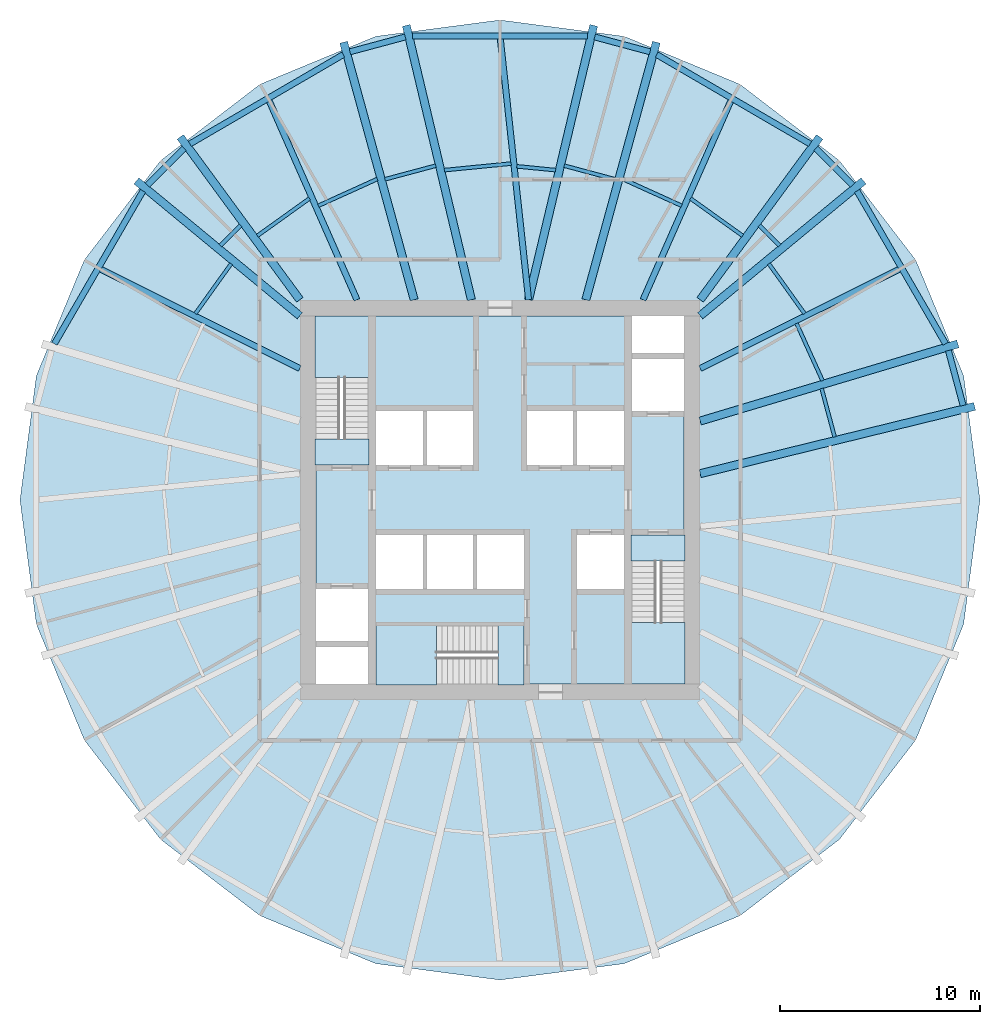
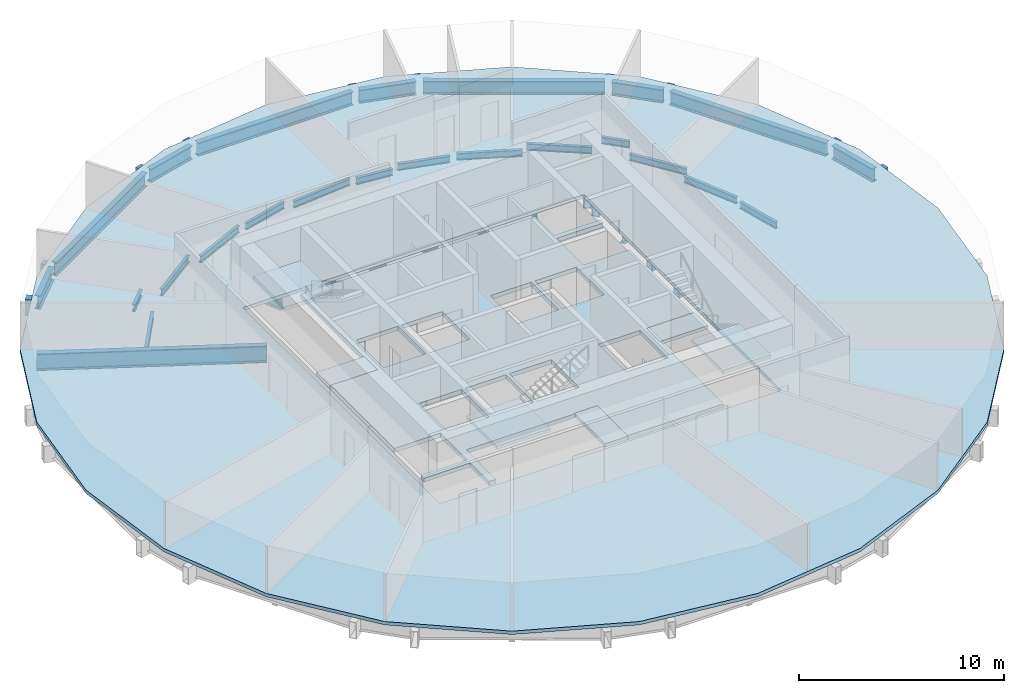
# One storey, part 2 of 6: 39 beams, 8 slabs, 3 elements without a shape of their own.
"""IFC4 building model written with IfcOpenShell, lengths in metres."""

from ifc_helpers import new_model, si_unit, direction, frame, origin, origin_2d, place, context, subcontext, project, spatial, polyline, hollow_rectangle, i_section, outline, extrude, material, layer, layer_set, material_profile, profile_set, type_object, element, aggregate, save


model = new_model("IFC4")

# Units and contexts
model_context = context("Model", 3, precision=1e-05, world=origin(), true_north=direction((0.0, 1.0)))
body_context = subcontext(model_context, "Body", "Model", "MODEL_VIEW")
ifc_project = project(units=[si_unit("LENGTHUNIT", "METRE"), si_unit("AREAUNIT", "SQUARE_METRE"), si_unit("VOLUMEUNIT", "CUBIC_METRE"), si_unit("PLANEANGLEUNIT", "RADIAN"), si_unit("MASSUNIT", "GRAM", prefix="KILO")], contexts=[model_context])

# Site, building, storey
site_placement = place(None, origin())
site = spatial("IfcSite", under=ifc_project, at=site_placement, CompositionType="ELEMENT")
building_placement = place(site_placement, origin())
building = spatial("IfcBuilding", under=site, at=building_placement, Name="Golbaran Civic Tower", CompositionType="ELEMENT")
storey_placement = place(building_placement, frame((0.0, 0.0, 73.0)))
storey = spatial("IfcBuildingStorey", under=building, at=storey_placement, Name="L17", CompositionType="ELEMENT", Elevation=73.0)

# Beams
ifc_material_1 = material(Name="Steel S355", Category="steel")
ifc_material_profile_1 = material_profile(ifc_material_1, i_section(OverallWidth=0.300048828125, OverallDepth=0.800048828125, WebThickness=0.017578125, FlangeThickness=0.032958984375, FilletRadius=0.030029296875, at=origin_2d()), Name="HEB 800")
ifc_profile_set_1 = profile_set([ifc_material_profile_1], Name="Steel S355")
beam_type_1 = type_object("IfcBeamType", Name="EDGE BEAM HEB 800", PredefinedType="BEAM", material=ifc_profile_set_1)
beam_1_placement = place(storey_placement, frame((23.128662109375, 4.72119140625, -0.60009765625), z_axis=(-0.258550025591, 0.965997869701, 0.0), x_axis=(-0.965997869701, -0.258550025591, 0.0)))
element("IfcBeam", 1, at=beam_1_placement, inside=storey, type_object=beam_type_1, Name="Edge beam 11.23 L17", PredefinedType="BEAM", context=body_context, shape_type="SweptSolid", body=[
    extrude(i_section(OverallWidth=0.300048828125, OverallDepth=0.800048828125, WebThickness=0.017578125, FlangeThickness=0.032958984375, FilletRadius=0.030029296875, at=origin_2d()), origin(), (0.0, 0.0, 1.0), 2.84228515625),
])
beam_2_placement = place(storey_placement, frame((22.25439453125, 7.80078125, -0.60009765625), z_axis=(-0.501443084431, 0.865190633951, 0.0), x_axis=(-0.865190633951, -0.501443084431, 0.0)))
element("IfcBeam", 2, at=beam_2_placement, inside=storey, type_object=beam_type_1, Name="Edge beam 18.77 L17", PredefinedType="BEAM", context=body_context, shape_type="SweptSolid", body=[
    extrude(i_section(OverallWidth=0.300048828125, OverallDepth=0.800048828125, WebThickness=0.017578125, FlangeThickness=0.032958984375, FilletRadius=0.030029296875, at=origin_2d()), origin(), (0.0, 0.0, 1.0), 8.82275390625),
])
beam_3_placement = place(storey_placement, frame((17.611083984375, 15.719970703125, -0.60009765625), z_axis=(-0.706074852539, 0.708137206064, 0.0), x_axis=(-0.708137206064, -0.706074852539, 0.0)))
element("IfcBeam", 3, at=beam_3_placement, inside=storey, type_object=beam_type_1, Name="Edge beam 41.23 L17", PredefinedType="BEAM", context=body_context, shape_type="SweptSolid", body=[
    extrude(i_section(OverallWidth=0.300048828125, OverallDepth=0.800048828125, WebThickness=0.017578125, FlangeThickness=0.032958984375, FilletRadius=0.030029296875, at=origin_2d()), origin(), (0.0, 0.0, 1.0), 2.604248046875),
])
beam_4_placement = place(storey_placement, frame((15.487060546875, 17.784423828125, -0.60009765625), z_axis=(-0.864159309075, 0.503218330885, 0.0), x_axis=(-0.503218330885, -0.864159309075, 0.0)))
element("IfcBeam", 4, at=beam_4_placement, inside=storey, type_object=beam_type_1, Name="Edge beam 48.77 L17", PredefinedType="BEAM", context=body_context, shape_type="SweptSolid", body=[
    extrude(i_section(OverallWidth=0.300048828125, OverallDepth=0.800048828125, WebThickness=0.017578125, FlangeThickness=0.032958984375, FilletRadius=0.030029296875, at=origin_2d()), origin(), (0.0, 0.0, 1.0), 8.86279296875),
])
beam_5_placement = place(storey_placement, frame((7.493408203125, 22.384765625, -0.60009765625), z_axis=(-0.965774573513, 0.259382869819, 0.0), x_axis=(-0.259382869819, -0.965774573513, 0.0)))
element("IfcBeam", 5, at=beam_5_placement, inside=storey, type_object=beam_type_1, Name="Edge beam 71.23 L17", PredefinedType="BEAM", context=body_context, shape_type="SweptSolid", body=[
    extrude(i_section(OverallWidth=0.300048828125, OverallDepth=0.800048828125, WebThickness=0.017578125, FlangeThickness=0.032958984375, FilletRadius=0.030029296875, at=origin_2d()), origin(), (0.0, 0.0, 1.0), 2.861328125),
])
beam_6_placement = place(storey_placement, frame((4.37109375, 23.173583984375, -0.60009765625), z_axis=(-1.0, 0.0, 0.0), x_axis=(0.0, -1.0, 0.0)))
element("IfcBeam", 6, at=beam_6_placement, inside=storey, type_object=beam_type_1, Name="Edge beam 78.77 L17", PredefinedType="BEAM", context=body_context, shape_type="SweptSolid", body=[
    extrude(i_section(OverallWidth=0.300048828125, OverallDepth=0.800048828125, WebThickness=0.017578125, FlangeThickness=0.032958984375, FilletRadius=0.030029296875, at=origin_2d()), origin(), (0.0, 0.0, 1.0), 8.7421875),
])
beam_7_placement = place(storey_placement, frame((-4.72998046875, 23.126953125, -0.60009765625), z_axis=(-0.965774573513, -0.259382869819, 0.0), x_axis=(0.259382869819, -0.965774573513, 0.0)))
element("IfcBeam", 7, at=beam_7_placement, inside=storey, type_object=beam_type_1, Name="Edge beam 101.23 L17", PredefinedType="BEAM", context=body_context, shape_type="SweptSolid", body=[
    extrude(i_section(OverallWidth=0.300048828125, OverallDepth=0.800048828125, WebThickness=0.017578125, FlangeThickness=0.032958984375, FilletRadius=0.030029296875, at=origin_2d()), origin(), (0.0, 0.0, 1.0), 2.861328125),
])
beam_8_placement = place(storey_placement, frame((-7.828125, 22.244384765625, -0.60009765625), z_axis=(-0.864159309075, -0.503218330885, 0.0), x_axis=(0.503218330885, -0.864159309075, 0.0)))
element("IfcBeam", 8, at=beam_8_placement, inside=storey, type_object=beam_type_1, Name="Edge beam 108.77 L17", PredefinedType="BEAM", context=body_context, shape_type="SweptSolid", body=[
    extrude(i_section(OverallWidth=0.300048828125, OverallDepth=0.800048828125, WebThickness=0.017578125, FlangeThickness=0.032958984375, FilletRadius=0.030029296875, at=origin_2d()), origin(), (0.0, 0.0, 1.0), 8.86279296875),
])
beam_9_placement = place(storey_placement, frame((-15.772216796875, 17.564208984375, -0.60009765625), z_axis=(-0.706074852539, -0.708137206064, 0.0), x_axis=(0.708137206064, -0.706074852539, 0.0)))
element("IfcBeam", 9, at=beam_9_placement, inside=storey, type_object=beam_type_1, Name="Edge beam 131.23 L17", PredefinedType="BEAM", context=body_context, shape_type="SweptSolid", body=[
    extrude(i_section(OverallWidth=0.300048828125, OverallDepth=0.800048828125, WebThickness=0.017578125, FlangeThickness=0.032958984375, FilletRadius=0.030029296875, at=origin_2d()), origin(), (0.0, 0.0, 1.0), 2.604248046875),
])
beam_10_placement = place(storey_placement, frame((-17.830322265625, 15.43408203125, -0.60009765625), z_axis=(-0.501443084431, -0.865190633951, 0.0), x_axis=(0.865190633951, -0.501443084431, 0.0)))
element("IfcBeam", 10, at=beam_10_placement, inside=storey, type_object=beam_type_1, Name="Edge beam 138.77 L17", PredefinedType="BEAM", context=body_context, shape_type="SweptSolid", body=[
    extrude(i_section(OverallWidth=0.300048828125, OverallDepth=0.800048828125, WebThickness=0.017578125, FlangeThickness=0.032958984375, FilletRadius=0.030029296875, at=origin_2d()), origin(), (0.0, 0.0, 1.0), 8.82275390625),
])
ifc_material_profile_2 = material_profile(ifc_material_1, i_section(OverallWidth=0.179931640625, OverallDepth=0.39990234375, WebThickness=0.008544921875, FlangeThickness=0.013427734375, FilletRadius=0.02099609375, at=origin_2d()), Name="IPE 400")
ifc_profile_set_2 = profile_set([ifc_material_profile_2], Name="Steel S355")
beam_type_2 = type_object("IfcBeamType", Name="FLOOR INFILL BEAM IPE 400", PredefinedType="BEAM", material=ifc_profile_set_2)
beam_11_placement = place(storey_placement, frame((16.712890625, 3.146728515625, -0.39990234375), z_axis=(-0.258867374445, 0.965912875185, 0.0), x_axis=(-0.965912875185, -0.258867374445, 0.0)))
element("IfcBeam", 11, at=beam_11_placement, inside=storey, type_object=beam_type_2, Name="Infill beam 15.00 L17", PredefinedType="BEAM", context=body_context, shape_type="SweptSolid", body=[
    extrude(i_section(OverallWidth=0.179931640625, OverallDepth=0.39990234375, WebThickness=0.008544921875, FlangeThickness=0.013427734375, FilletRadius=0.02099609375, at=origin_2d()), origin(), (0.0, 0.0, 1.0), 2.509521484375),
])
beam_12_placement = place(storey_placement, frame((16.106689453125, 5.959716796875, -0.39990234375), z_axis=(-0.412889513332, 0.910781120676, 0.0), x_axis=(-0.910781120676, -0.412889513332, 0.0)))
element("IfcBeam", 12, at=beam_12_placement, inside=storey, type_object=beam_type_2, Name="Infill beam 24.38 L17", PredefinedType="BEAM", context=body_context, shape_type="SweptSolid", body=[
    extrude(i_section(OverallWidth=0.179931640625, OverallDepth=0.39990234375, WebThickness=0.008544921875, FlangeThickness=0.013427734375, FilletRadius=0.02099609375, at=origin_2d()), origin(), (0.0, 0.0, 1.0), 3.14208984375),
])
beam_13_placement = place(storey_placement, frame((15.2099609375, 9.3115234375, -0.39990234375), z_axis=(-0.582362506599, 0.812929216419, 0.0), x_axis=(-0.812929216419, -0.582362506599, 0.0)))
element("IfcBeam", 13, at=beam_13_placement, inside=storey, type_object=beam_type_2, Name="Infill beam 35.62 L17", PredefinedType="BEAM", context=body_context, shape_type="SweptSolid", body=[
    extrude(i_section(OverallWidth=0.179931640625, OverallDepth=0.39990234375, WebThickness=0.008544921875, FlangeThickness=0.013427734375, FilletRadius=0.02099609375, at=origin_2d()), origin(), (0.0, 0.0, 1.0), 3.05908203125),
])
beam_14_placement = place(storey_placement, frame((13.96142578125, 12.70556640625, -0.39990234375), z_axis=(-0.707106781187, 0.707106781187, 0.0), x_axis=(-0.707106781187, -0.707106781187, 0.0)))
element("IfcBeam", 14, at=beam_14_placement, inside=storey, type_object=beam_type_2, Name="Infill beam 45.00 L17", PredefinedType="BEAM", context=body_context, shape_type="SweptSolid", body=[
    extrude(i_section(OverallWidth=0.179931640625, OverallDepth=0.39990234375, WebThickness=0.008544921875, FlangeThickness=0.013427734375, FilletRadius=0.02099609375, at=origin_2d()), origin(), (0.0, 0.0, 1.0), 1.430419921875),
])
beam_15_placement = place(storey_placement, frame((12.119384765625, 13.193359375, -0.39990234375), z_axis=(-0.812939263745, 0.58234848112, 0.0), x_axis=(-0.58234848112, -0.812939263745, 0.0)))
element("IfcBeam", 15, at=beam_15_placement, inside=storey, type_object=beam_type_2, Name="Infill beam 54.38 L17", PredefinedType="BEAM", context=body_context, shape_type="SweptSolid", body=[
    extrude(i_section(OverallWidth=0.179931640625, OverallDepth=0.39990234375, WebThickness=0.008544921875, FlangeThickness=0.013427734375, FilletRadius=0.02099609375, at=origin_2d()), origin(), (0.0, 0.0, 1.0), 3.20166015625),
])
beam_16_placement = place(storey_placement, frame((9.07275390625, 14.696044921875, -0.39990234375), z_axis=(-0.910800057052, 0.412847739578, 0.0), x_axis=(-0.412847739578, -0.910800057052, 0.0)))
element("IfcBeam", 16, at=beam_16_placement, inside=storey, type_object=beam_type_2, Name="Infill beam 65.62 L17", PredefinedType="BEAM", context=body_context, shape_type="SweptSolid", body=[
    extrude(i_section(OverallWidth=0.179931640625, OverallDepth=0.39990234375, WebThickness=0.008544921875, FlangeThickness=0.013427734375, FilletRadius=0.02099609375, at=origin_2d()), origin(), (0.0, 0.0, 1.0), 3.23583984375),
])
beam_17_placement = place(storey_placement, frame((5.747802734375, 16.015625, -0.39990234375), z_axis=(-0.965932743804, 0.258793227205, 0.0), x_axis=(-0.258793227205, -0.965932743804, 0.0)))
element("IfcBeam", 17, at=beam_17_placement, inside=storey, type_object=beam_type_2, Name="Infill beam 75.00 L17", PredefinedType="BEAM", context=body_context, shape_type="SweptSolid", body=[
    extrude(i_section(OverallWidth=0.179931640625, OverallDepth=0.39990234375, WebThickness=0.008544921875, FlangeThickness=0.013427734375, FilletRadius=0.02099609375, at=origin_2d()), origin(), (0.0, 0.0, 1.0), 2.634033203125),
])
beam_18_placement = place(storey_placement, frame((2.780517578125, 16.473876953125, -0.39990234375), z_axis=(-0.995211374108, 0.097746206299, 0.0), x_axis=(-0.097746206299, -0.995211374108, 0.0)))
element("IfcBeam", 18, at=beam_18_placement, inside=storey, type_object=beam_type_2, Name="Infill beam 84.38 L17", PredefinedType="BEAM", context=body_context, shape_type="SweptSolid", body=[
    extrude(i_section(OverallWidth=0.179931640625, OverallDepth=0.39990234375, WebThickness=0.008544921875, FlangeThickness=0.013427734375, FilletRadius=0.02099609375, at=origin_2d()), origin(), (0.0, 0.0, 1.0), 1.953125),
])
beam_19_placement = place(storey_placement, frame((0.56005859375, 16.80224609375, -0.39990234375), z_axis=(-0.99520356516, -0.097825681147, 0.0), x_axis=(0.097825681147, -0.99520356516, 0.0)))
element("IfcBeam", 19, at=beam_19_placement, inside=storey, type_object=beam_type_2, Name="Infill beam 95.62 L17", PredefinedType="BEAM", context=body_context, shape_type="SweptSolid", body=[
    extrude(i_section(OverallWidth=0.179931640625, OverallDepth=0.39990234375, WebThickness=0.008544921875, FlangeThickness=0.013427734375, FilletRadius=0.02099609375, at=origin_2d()), origin(), (0.0, 0.0, 1.0), 3.356689453125),
])
beam_20_placement = place(storey_placement, frame((-3.20361328125, 16.697265625, -0.39990234375), z_axis=(-0.965932743804, -0.258793227205, 0.0), x_axis=(0.258793227205, -0.965932743804, 0.0)))
element("IfcBeam", 20, at=beam_20_placement, inside=storey, type_object=beam_type_2, Name="Infill beam 105.00 L17", PredefinedType="BEAM", context=body_context, shape_type="SweptSolid", body=[
    extrude(i_section(OverallWidth=0.179931640625, OverallDepth=0.39990234375, WebThickness=0.008544921875, FlangeThickness=0.013427734375, FilletRadius=0.02099609375, at=origin_2d()), origin(), (0.0, 0.0, 1.0), 2.634033203125),
])
beam_21_placement = place(storey_placement, frame((-6.12548828125, 16.031982421875, -0.39990234375), z_axis=(-0.910800057052, -0.412847739578, 0.0), x_axis=(0.412847739578, -0.910800057052, 0.0)))
element("IfcBeam", 21, at=beam_21_placement, inside=storey, type_object=beam_type_2, Name="Infill beam 114.38 L17", PredefinedType="BEAM", context=body_context, shape_type="SweptSolid", body=[
    extrude(i_section(OverallWidth=0.179931640625, OverallDepth=0.39990234375, WebThickness=0.008544921875, FlangeThickness=0.013427734375, FilletRadius=0.02099609375, at=origin_2d()), origin(), (0.0, 0.0, 1.0), 3.23583984375),
])
beam_22_placement = place(storey_placement, frame((-9.5166015625, 15.057861328125, -0.39990234375), z_axis=(-0.812939263745, -0.58234848112, 0.0), x_axis=(0.58234848112, -0.812939263745, 0.0)))
element("IfcBeam", 22, at=beam_22_placement, inside=storey, type_object=beam_type_2, Name="Infill beam 125.62 L17", PredefinedType="BEAM", context=body_context, shape_type="SweptSolid", body=[
    extrude(i_section(OverallWidth=0.179931640625, OverallDepth=0.39990234375, WebThickness=0.008544921875, FlangeThickness=0.013427734375, FilletRadius=0.02099609375, at=origin_2d()), origin(), (0.0, 0.0, 1.0), 3.20166015625),
])
beam_23_placement = place(storey_placement, frame((-12.949951171875, 13.717041015625, -0.39990234375), z_axis=(-0.707106781187, -0.707106781187, 0.0), x_axis=(0.707106781187, -0.707106781187, 0.0)))
element("IfcBeam", 23, at=beam_23_placement, inside=storey, type_object=beam_type_2, Name="Infill beam 135.00 L17", PredefinedType="BEAM", context=body_context, shape_type="SweptSolid", body=[
    extrude(i_section(OverallWidth=0.179931640625, OverallDepth=0.39990234375, WebThickness=0.008544921875, FlangeThickness=0.013427734375, FilletRadius=0.02099609375, at=origin_2d()), origin(), (0.0, 0.0, 1.0), 1.430419921875),
])
beam_24_placement = place(storey_placement, frame((-13.428466796875, 11.79833984375, -0.39990234375), z_axis=(-0.582362506599, -0.812929216419, 0.0), x_axis=(0.812929216419, -0.582362506599, 0.0)))
element("IfcBeam", 24, at=beam_24_placement, inside=storey, type_object=beam_type_2, Name="Infill beam 144.38 L17", PredefinedType="BEAM", context=body_context, shape_type="SweptSolid", body=[
    extrude(i_section(OverallWidth=0.179931640625, OverallDepth=0.39990234375, WebThickness=0.008544921875, FlangeThickness=0.013427734375, FilletRadius=0.02099609375, at=origin_2d()), origin(), (0.0, 0.0, 1.0), 3.05908203125),
])
ifc_material_profile_3 = material_profile(ifc_material_1, hollow_rectangle(XDim=0.39990234375, YDim=1.0, WallThickness=0.0400390625, at=origin_2d()), Name="BOX 1000x400x40")
ifc_profile_set_3 = profile_set([ifc_material_profile_3], Name="Steel S355")
beam_type_3 = type_object("IfcBeamType", Name="RADIAL FLOOR BEAM BOX 1000x400x40", PredefinedType="BEAM", material=ifc_profile_set_3)
beam_25_placement = place(storey_placement, frame((10.0, 1.314208984375, -0.7099609375), z_axis=(0.971188858379, 0.238311144011, 0.0), x_axis=(-0.238311144011, 0.971188858379, 0.0)))
element("IfcBeam", 25, at=beam_25_placement, inside=storey, type_object=beam_type_3, Name="Radial beam 11.23 L17", PredefinedType="BEAM", context=body_context, shape_type="SweptSolid", body=[
    extrude(hollow_rectangle(XDim=0.39990234375, YDim=1.0, WallThickness=0.0400390625, at=origin_2d()), origin(), (0.0, 0.0, 1.0), 14.10888671875),
])
beam_26_placement = place(storey_placement, frame((10.0, 3.94287109375, -0.7099609375), z_axis=(0.957960753639, 0.286899275856, 0.0), x_axis=(-0.286899275856, 0.957960753639, 0.0)))
element("IfcBeam", 26, at=beam_26_placement, inside=storey, type_object=beam_type_3, Name="Radial beam 18.77 L17", PredefinedType="BEAM", context=body_context, shape_type="SweptSolid", body=[
    extrude(hollow_rectangle(XDim=0.39990234375, YDim=1.0, WallThickness=0.0400390625, at=origin_2d()), origin(), (0.0, 0.0, 1.0), 13.431640625),
])
beam_27_placement = place(storey_placement, frame((10.0, 9.199951171875, -0.7099609375), z_axis=(0.771007562736, 0.636825987382, 0.0), x_axis=(-0.636825987382, 0.771007562736, 0.0)))
element("IfcBeam", 27, at=beam_27_placement, inside=storey, type_object=beam_type_3, Name="Radial beam 41.23 L17", PredefinedType="BEAM", context=body_context, shape_type="SweptSolid", body=[
    extrude(hollow_rectangle(XDim=0.39990234375, YDim=1.0, WallThickness=0.0400390625, at=origin_2d()), origin(), (0.0, 0.0, 1.0), 10.580322265625),
])
beam_28_placement = place(storey_placement, frame((10.0, 10.0, -0.7099609375), z_axis=(0.591485373964, 0.806315727483, 0.0), x_axis=(-0.806315727483, 0.591485373964, 0.0)))
element("IfcBeam", 28, at=beam_28_placement, inside=storey, type_object=beam_type_3, Name="Radial beam 48.77 L17", PredefinedType="BEAM", context=body_context, shape_type="SweptSolid", body=[
    extrude(hollow_rectangle(XDim=0.39990234375, YDim=1.0, WallThickness=0.0400390625, at=origin_2d()), origin(), (0.0, 0.0, 1.0), 10.0869140625),
])
beam_29_placement = place(storey_placement, frame((4.28564453125, 10.0, -0.7099609375), z_axis=(0.264330085514, 0.964432271283, 0.0), x_axis=(-0.964432271283, 0.264330085514, 0.0)))
element("IfcBeam", 29, at=beam_29_placement, inside=storey, type_object=beam_type_3, Name="Radial beam 71.23 L17", PredefinedType="BEAM", context=body_context, shape_type="SweptSolid", body=[
    extrude(hollow_rectangle(XDim=0.39990234375, YDim=1.0, WallThickness=0.0400390625, at=origin_2d()), origin(), (0.0, 0.0, 1.0), 13.336181640625),
])
for number, where, z_axis, x_axis, name in (
    (30, (1.428466796875, 10.0, -0.7099609375), (0.23099078638, 0.972955937649, 0.0), (-0.972955937649, 0.23099078638, 0.0), "Radial beam 78.77 L17"),
    (31, (-1.428466796875, 10.0, -0.7099609375), (-0.23099078638, 0.972955937649, 0.0), (-0.972955937649, -0.23099078638, 0.0), "Radial beam 101.23 L17"),
):
    element("IfcBeam", number, at=place(storey_placement, frame(where, z_axis=z_axis, x_axis=x_axis)), inside=storey, type_object=beam_type_3, Name=name, PredefinedType="BEAM", context=body_context, shape_type="SweptSolid", body=[
        extrude(hollow_rectangle(XDim=0.39990234375, YDim=1.0, WallThickness=0.0400390625, at=origin_2d()), origin(), (0.0, 0.0, 1.0), 14.08251953125),
    ])
beam_30_placement = place(storey_placement, frame((-4.28564453125, 10.0, -0.7099609375), z_axis=(-0.264330085514, 0.964432271283, 0.0), x_axis=(-0.964432271283, -0.264330085514, 0.0)))
element("IfcBeam", 32, at=beam_30_placement, inside=storey, type_object=beam_type_3, Name="Radial beam 108.77 L17", PredefinedType="BEAM", context=body_context, shape_type="SweptSolid", body=[
    extrude(hollow_rectangle(XDim=0.39990234375, YDim=1.0, WallThickness=0.0400390625, at=origin_2d()), origin(), (0.0, 0.0, 1.0), 13.336181640625),
])
beam_31_placement = place(storey_placement, frame((-10.0, 10.0, -0.7099609375), z_axis=(-0.591485373964, 0.806315727483, 0.0), x_axis=(-0.806315727483, -0.591485373964, 0.0)))
element("IfcBeam", 33, at=beam_31_placement, inside=storey, type_object=beam_type_3, Name="Radial beam 131.23 L17", PredefinedType="BEAM", context=body_context, shape_type="SweptSolid", body=[
    extrude(hollow_rectangle(XDim=0.39990234375, YDim=1.0, WallThickness=0.0400390625, at=origin_2d()), origin(), (0.0, 0.0, 1.0), 10.0869140625),
])
beam_32_placement = place(storey_placement, frame((-10.0, 9.199951171875, -0.7099609375), z_axis=(-0.771007562736, 0.636825987382, 0.0), x_axis=(-0.636825987382, -0.771007562736, 0.0)))
element("IfcBeam", 34, at=beam_32_placement, inside=storey, type_object=beam_type_3, Name="Radial beam 138.77 L17", PredefinedType="BEAM", context=body_context, shape_type="SweptSolid", body=[
    extrude(hollow_rectangle(XDim=0.39990234375, YDim=1.0, WallThickness=0.0400390625, at=origin_2d()), origin(), (0.0, 0.0, 1.0), 10.580322265625),
])
ifc_material_profile_4 = material_profile(ifc_material_1, i_section(OverallWidth=0.300048828125, OverallDepth=1.0, WebThickness=0.01904296875, FlangeThickness=0.035888671875, FilletRadius=0.030029296875, at=origin_2d()), Name="HEB 1000")
ifc_profile_set_4 = profile_set([ifc_material_profile_4], Name="Steel S355")
beam_type_4 = type_object("IfcBeamType", Name="SECONDARY FLOOR BEAM HEB 1000", PredefinedType="BEAM", material=ifc_profile_set_4)
beam_33_placement = place(storey_placement, frame((10.0, 6.571533203125, -0.7099609375), z_axis=(0.895125431121, 0.445814381284, 0.0), x_axis=(-0.445814381284, 0.895125431121, 0.0)))
element("IfcBeam", 35, at=beam_33_placement, inside=storey, type_object=beam_type_4, Name="Secondary beam 30.00 L17", PredefinedType="BEAM", context=body_context, shape_type="SweptSolid", body=[
    extrude(i_section(OverallWidth=0.300048828125, OverallDepth=1.0, WebThickness=0.01904296875, FlangeThickness=0.035888671875, FilletRadius=0.030029296875, at=origin_2d()), origin(), (0.0, 0.0, 1.0), 11.2412109375),
])
beam_34_placement = place(storey_placement, frame((7.142822265625, 10.0, -0.7099609375), z_axis=(0.403679022124, 0.914900676083, 0.0), x_axis=(-0.914900676083, 0.403679022124, 0.0)))
element("IfcBeam", 36, at=beam_34_placement, inside=storey, type_object=beam_type_4, Name="Secondary beam 60.00 L17", PredefinedType="BEAM", context=body_context, shape_type="SweptSolid", body=[
    extrude(i_section(OverallWidth=0.300048828125, OverallDepth=1.0, WebThickness=0.01904296875, FlangeThickness=0.035888671875, FilletRadius=0.030029296875, at=origin_2d()), origin(), (0.0, 0.0, 1.0), 10.994384765625),
])
beam_35_placement = place(storey_placement, frame((1.428466796875, 10.0, -0.7099609375), z_axis=(-0.107802265597, 0.994172355043, 0.0), x_axis=(-0.994172355043, -0.107802265597, 0.0)))
element("IfcBeam", 37, at=beam_35_placement, inside=storey, type_object=beam_type_4, Name="Secondary beam 90.00 L17", PredefinedType="BEAM", context=body_context, shape_type="SweptSolid", body=[
    extrude(i_section(OverallWidth=0.300048828125, OverallDepth=1.0, WebThickness=0.01904296875, FlangeThickness=0.035888671875, FilletRadius=0.030029296875, at=origin_2d()), origin(), (0.0, 0.0, 1.0), 13.250732421875),
])
beam_36_placement = place(storey_placement, frame((-7.142822265625, 10.0, -0.7099609375), z_axis=(-0.403679022124, 0.914900676083, 0.0), x_axis=(-0.914900676083, -0.403679022124, 0.0)))
element("IfcBeam", 38, at=beam_36_placement, inside=storey, type_object=beam_type_4, Name="Secondary beam 120.00 L17", PredefinedType="BEAM", context=body_context, shape_type="SweptSolid", body=[
    extrude(i_section(OverallWidth=0.300048828125, OverallDepth=1.0, WebThickness=0.01904296875, FlangeThickness=0.035888671875, FilletRadius=0.030029296875, at=origin_2d()), origin(), (0.0, 0.0, 1.0), 10.994384765625),
])
beam_37_placement = place(storey_placement, frame((-10.0, 6.571533203125, -0.7099609375), z_axis=(-0.895125431121, 0.445814381284, 0.0), x_axis=(-0.445814381284, -0.895125431121, 0.0)))
element("IfcBeam", 39, at=beam_37_placement, inside=storey, type_object=beam_type_4, Name="Secondary beam 150.00 L17", PredefinedType="BEAM", context=body_context, shape_type="SweptSolid", body=[
    extrude(i_section(OverallWidth=0.300048828125, OverallDepth=1.0, WebThickness=0.01904296875, FlangeThickness=0.035888671875, FilletRadius=0.030029296875, at=origin_2d()), origin(), (0.0, 0.0, 1.0), 11.2412109375),
])

# Slabs
ifc_material_2 = material(Name="Concrete LC30/33 lightweight on steel deck", Category="concrete")
ifc_layer_1 = layer(ifc_material_2, 0.199951171875, Name="Concrete LC30/33 lightweight on steel deck")
ifc_layer_set_1 = layer_set([ifc_layer_1], Name="Concrete LC30/33 lightweight on steel deck")
slab_type_1 = type_object("IfcSlabType", Name="COMPOSITE FLOOR SLAB 200", PredefinedType="FLOOR", material=ifc_layer_set_1)
slab_1_placement = place(storey_placement, frame((0.0, 0.0, -0.199951171875)))
element("IfcSlab", 40, at=slab_1_placement, inside=storey, type_object=slab_type_1, Name="Floor slab L17", PredefinedType="FLOOR", context=body_context, shape_type="SweptSolid", body=[
    extrude(outline(polyline([(20.7607421875, -11.986083984375), (16.950927734375, -16.950927734375), (11.986083984375, -20.7607421875), (6.20458984375, -23.155517578125), (0.0, -23.972412109375), (-6.20458984375, -23.155517578125), (-11.986083984375, -20.7607421875), (-16.950927734375, -16.950927734375), (-20.7607421875, -11.986083984375), (-23.155517578125, -6.20458984375), (-23.972412109375, 0.0), (-23.155517578125, 6.20458984375), (-20.7607421875, 11.986083984375), (-16.950927734375, 16.950927734375), (-11.986083984375, 20.7607421875), (-6.20458984375, 23.155517578125), (0.0, 23.972412109375), (6.20458984375, 23.155517578125), (11.986083984375, 20.7607421875), (16.950927734375, 16.950927734375), (20.7607421875, 11.986083984375), (23.155517578125, 6.20458984375), (23.972412109375, 0.0), (23.155517578125, -6.20458984375), (20.7607421875, -11.986083984375)]), holes=[polyline([(-9.60009765625, 9.60009765625), (-9.60009765625, -9.60009765625), (9.60009765625, -9.60009765625), (9.60009765625, 9.60009765625), (-9.60009765625, 9.60009765625)])]), origin(), (0.0, 0.0, 1.0), 0.199951171875),
])
ifc_material_3 = material(Name="Concrete C35/45", Category="concrete")
ifc_layer_2 = layer(ifc_material_3, 0.25, Name="Concrete C35/45")
ifc_layer_set_2 = layer_set([ifc_layer_2], Name="Concrete C35/45")
slab_type_2 = type_object("IfcSlabType", Name="CORE FLOOR SLAB 250", PredefinedType="FLOOR", material=ifc_layer_set_2)
slab_2_placement = place(storey_placement, frame((0.0, 0.0, -0.25)))
element("IfcSlab", 41, at=slab_2_placement, inside=storey, type_object=slab_type_2, Name="Core floor slab L17", PredefinedType="FLOOR", context=body_context, shape_type="SweptSolid", body=[
    extrude(outline(polyline([(6.60009765625, -1.75), (6.60009765625, -9.199951171875), (1.199951171875, -9.199951171875), (1.199951171875, -6.300048828125), (-6.199951171875, -6.300048828125), (-6.199951171875, -9.199951171875), (-6.60009765625, -9.199951171875), (-6.60009765625, -7.35009765625), (-9.199951171875, -7.35009765625), (-9.199951171875, -7.050048828125), (-6.60009765625, -7.050048828125), (-6.60009765625, -4.449951171875), (-9.199951171875, -4.449951171875), (-9.199951171875, 1.75), (-6.60009765625, 1.75), (-6.60009765625, 9.199951171875), (6.60009765625, 9.199951171875), (6.60009765625, 7.35009765625), (9.199951171875, 7.35009765625), (9.199951171875, 7.050048828125), (6.60009765625, 7.050048828125), (6.60009765625, 4.449951171875), (9.199951171875, 4.449951171875), (9.199951171875, -1.75), (6.60009765625, -1.75)]), holes=[polyline([(6.199951171875, -1.75), (3.85009765625, -1.75), (3.85009765625, -4.449951171875), (6.199951171875, -4.449951171875), (6.199951171875, -1.75)]), polyline([(6.199951171875, 4.449951171875), (3.85009765625, 4.449951171875), (3.85009765625, 1.75), (6.199951171875, 1.75), (6.199951171875, 4.449951171875)]), polyline([(3.64990234375, 4.449951171875), (1.35009765625, 4.449951171875), (1.35009765625, 1.75), (3.64990234375, 1.75), (3.64990234375, 4.449951171875)]), polyline([(1.199951171875, -1.75), (-1.14990234375, -1.75), (-1.14990234375, -4.449951171875), (1.199951171875, -4.449951171875), (1.199951171875, -1.75)]), polyline([(-1.35009765625, 4.449951171875), (-3.64990234375, 4.449951171875), (-3.64990234375, 1.75), (-1.35009765625, 1.75), (-1.35009765625, 4.449951171875)]), polyline([(-1.35009765625, -1.75), (-3.64990234375, -1.75), (-3.64990234375, -4.449951171875), (-1.35009765625, -4.449951171875), (-1.35009765625, -1.75)]), polyline([(-3.85009765625, -1.75), (-6.199951171875, -1.75), (-6.199951171875, -4.449951171875), (-3.85009765625, -4.449951171875), (-3.85009765625, -1.75)]), polyline([(-3.85009765625, 4.449951171875), (-6.199951171875, 4.449951171875), (-6.199951171875, 1.75), (-3.85009765625, 1.75), (-3.85009765625, 4.449951171875)])]), origin(), (0.0, 0.0, 1.0), 0.25),
])

# Stair, slab
stair_type_1 = type_object("IfcStairType", Name="EXIT STAIR 2600 x 7450, 4000 RISE", PredefinedType="HALF_TURN_STAIR", material=ifc_material_3)
stair_1_placement = place(storey_placement, origin())
stair_1 = element("IfcStair", 42, at=stair_1_placement, inside=storey, type_object=stair_type_1, Name="Stair S1 L17", PredefinedType="HALF_TURN_STAIR")
ifc_layer_3 = layer(ifc_material_3, 0.199951171875, Name="Concrete C35/45")
ifc_layer_set_3 = layer_set([ifc_layer_3], Name="Concrete C35/45")
slab_type_3 = type_object("IfcSlabType", Name="STAIR LANDING 200", PredefinedType="LANDING", material=ifc_layer_set_3)
slab_3_placement = place(storey_placement, frame((0.0, 0.0, 1.800048828125)))
slab_3 = element("IfcSlab", 43, at=slab_3_placement, type_object=slab_type_3, Name="ST26074-40 landing 1", PredefinedType="LANDING", context=body_context, shape_type="SweptSolid", body=[
    extrude(outline(polyline([(-9.25, 6.125), (-9.25, 9.199951171875), (-6.550048828125, 9.199951171875), (-6.550048828125, 6.125), (-9.25, 6.125)])), origin(), (0.0, 0.0, 1.0), 0.199951171875),
])
aggregate(stair_1, [slab_3])

# Slab
slab_4_placement = place(storey_placement, frame((0.0, 0.0, -0.199951171875)))
element("IfcSlab", 44, at=slab_4_placement, inside=storey, type_object=slab_type_3, Name="Stair S1 floor landing L17", PredefinedType="LANDING", context=body_context, shape_type="SweptSolid", body=[
    extrude(outline(polyline([(-9.25, 1.75), (-9.25, 3.054931640625), (-6.550048828125, 3.054931640625), (-6.550048828125, 1.75), (-9.25, 1.75)])), origin(), (0.0, 0.0, 1.0), 0.199951171875),
])

# Stair, slab
stair_2_placement = place(storey_placement, origin())
stair_2 = element("IfcStair", 45, at=stair_2_placement, inside=storey, type_object=stair_type_1, Name="Stair S2 L17", PredefinedType="HALF_TURN_STAIR")
slab_5_placement = place(storey_placement, frame((0.0, 0.0, 1.800048828125)))
slab_5 = element("IfcSlab", 46, at=slab_5_placement, type_object=slab_type_3, Name="ST26074-40 landing 1", PredefinedType="LANDING", context=body_context, shape_type="SweptSolid", body=[
    extrude(outline(polyline([(9.25, -6.125), (9.25, -9.199951171875), (6.550048828125, -9.199951171875), (6.550048828125, -6.125), (9.25, -6.125)])), origin(), (0.0, 0.0, 1.0), 0.199951171875),
])
aggregate(stair_2, [slab_5])

# Slab
slab_6_placement = place(storey_placement, frame((0.0, 0.0, -0.199951171875)))
element("IfcSlab", 47, at=slab_6_placement, inside=storey, type_object=slab_type_3, Name="Stair S2 floor landing L17", PredefinedType="LANDING", context=body_context, shape_type="SweptSolid", body=[
    extrude(outline(polyline([(9.25, -1.75), (9.25, -3.054931640625), (6.550048828125, -3.054931640625), (6.550048828125, -1.75), (9.25, -1.75)])), origin(), (0.0, 0.0, 1.0), 0.199951171875),
])

# Stair, slab
stair_type_2 = type_object("IfcStairType", Name="EXIT STAIR 2900 x 7400, 4000 RISE", PredefinedType="HALF_TURN_STAIR", material=ifc_material_3)
stair_3_placement = place(storey_placement, origin())
stair_3 = element("IfcStair", 48, at=stair_3_placement, inside=storey, type_object=stair_type_2, Name="Stair S3 L17", PredefinedType="HALF_TURN_STAIR")
slab_7_placement = place(storey_placement, frame((0.0, 0.0, 1.800048828125)))
slab_7 = element("IfcSlab", 49, at=slab_7_placement, type_object=slab_type_3, Name="ST29074-40 landing 1", PredefinedType="LANDING", context=body_context, shape_type="SweptSolid", body=[
    extrude(outline(polyline([(-3.175048828125, -9.25), (-6.199951171875, -9.25), (-6.199951171875, -6.25), (-3.175048828125, -6.25), (-3.175048828125, -9.25)])), origin(), (0.0, 0.0, 1.0), 0.199951171875),
])
aggregate(stair_3, [slab_7])

# Slab
slab_8_placement = place(storey_placement, frame((0.0, 0.0, -0.199951171875)))
element("IfcSlab", 50, at=slab_8_placement, inside=storey, type_object=slab_type_3, Name="Stair S3 floor landing L17", PredefinedType="LANDING", context=body_context, shape_type="SweptSolid", body=[
    extrude(outline(polyline([(1.199951171875, -9.25), (-0.10498046875, -9.25), (-0.10498046875, -6.25), (1.199951171875, -6.25), (1.199951171875, -9.25)])), origin(), (0.0, 0.0, 1.0), 0.199951171875),
])

save(model, "model.ifc")
